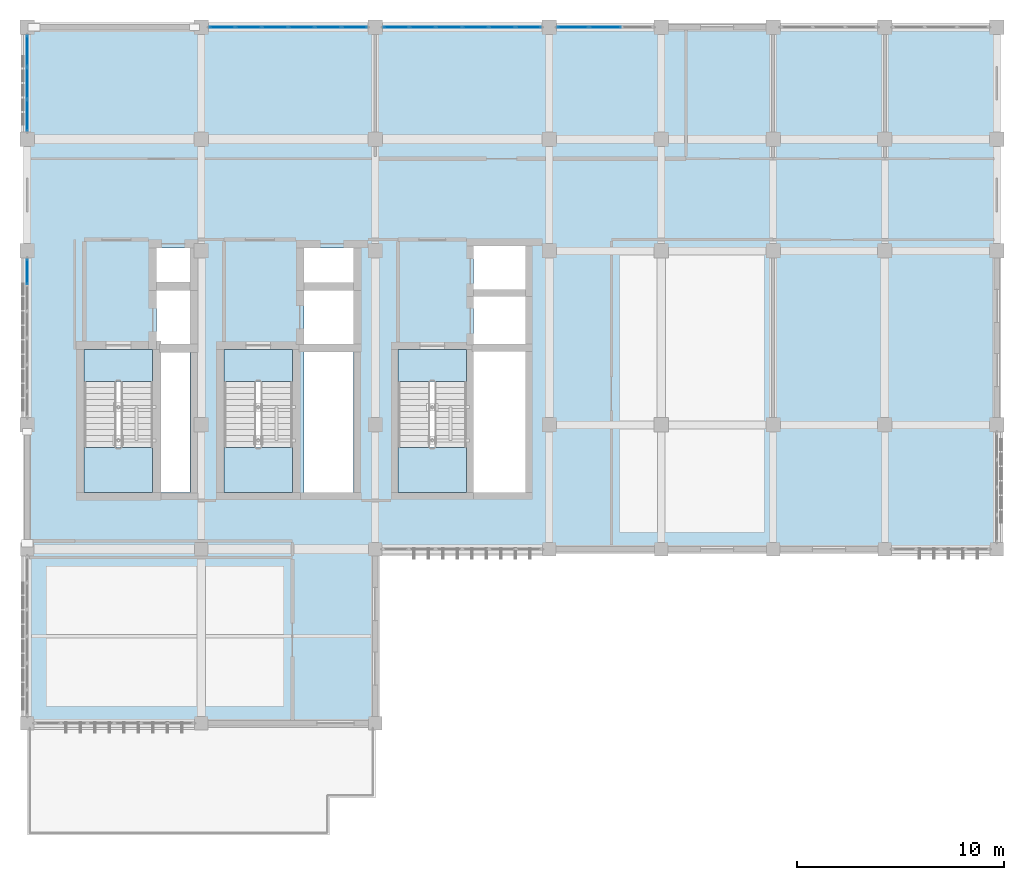
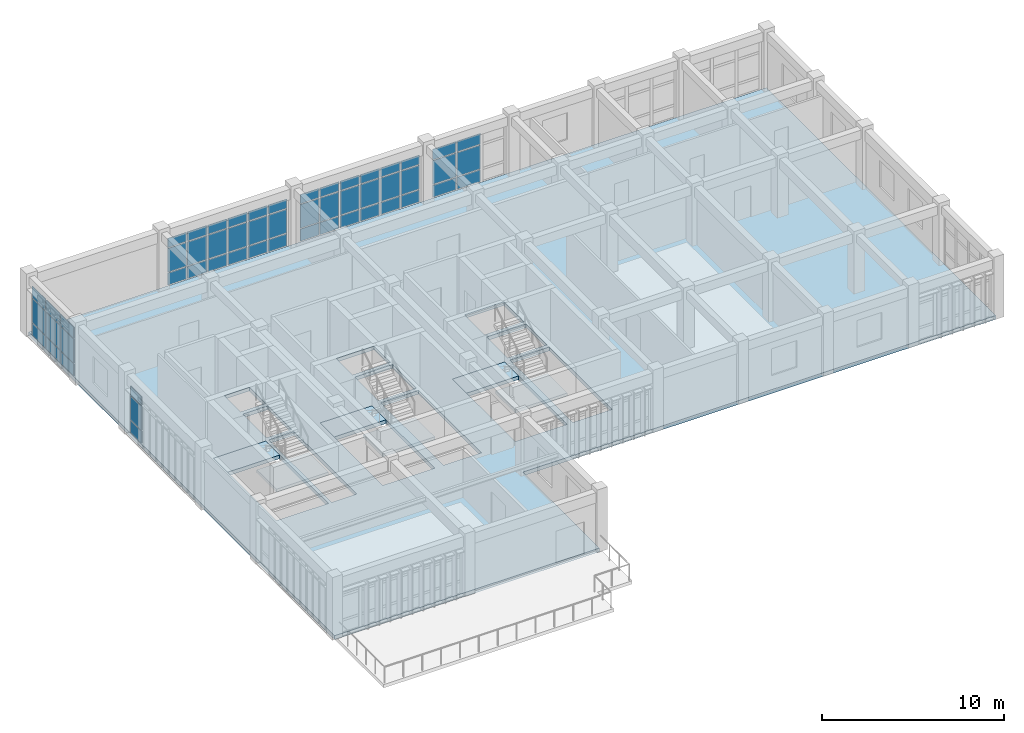
# One storey, part 17 of 23: 54 plates, 7 slabs, 8 elements without a shape of their own.
"""IFC4 building model written with IfcOpenShell, lengths in metres."""

from ifc_helpers import new_model, si_unit, direction, frame, origin, origin_2d, place, context, subcontext, project, spatial, polyline, rectangle, outline, extrude, material, layer, layer_set, type_object, element, aggregate, save


model = new_model("IFC4")

# Units and contexts
model_context = context("Model", 3, precision=1e-05, world=origin(), true_north=direction((0.0, 1.0)))
body_context = subcontext(model_context, "Body", "Model", "MODEL_VIEW")
ifc_project = project(units=[si_unit("LENGTHUNIT", "METRE"), si_unit("AREAUNIT", "SQUARE_METRE"), si_unit("VOLUMEUNIT", "CUBIC_METRE"), si_unit("PLANEANGLEUNIT", "RADIAN"), si_unit("MASSUNIT", "GRAM", prefix="KILO")], contexts=[model_context])

# Site, building, storey
site_placement = place(None, origin())
site = spatial("IfcSite", under=ifc_project, at=site_placement, CompositionType="ELEMENT")
building_placement = place(site_placement, origin())
building = spatial("IfcBuilding", under=site, at=building_placement, Name="Krzemoval Escarpment Law Courts", CompositionType="ELEMENT")
storey_placement = place(building_placement, frame((0.0, 0.0, 25.199951171875)))
storey = spatial("IfcBuildingStorey", under=building, at=storey_placement, Name="L05", CompositionType="ELEMENT", Elevation=25.199951171875)

# Curtain wall, plates
ifc_material_1 = material(Name="Aluminium 6063-T6", Category="aluminium")
ifc_layer_1 = layer(ifc_material_1, 0.219970703125)
ifc_layer_set_1 = layer_set([ifc_layer_1], Name="Aluminium 6063-T6")
curtain_wall_type = type_object("IfcCurtainWallType", Name="CW-CHMB-4200", PredefinedType="USERDEFINED", material=ifc_layer_set_1)
curtain_wall_1_placement = place(storey_placement, origin())
curtain_wall_1 = element("IfcCurtainWall", 1, at=curtain_wall_1_placement, inside=storey, type_object=curtain_wall_type, Name="Unitised Curtain Wall FCW-L05-135", ObjectType="UNITISED_CURTAIN_WALL", PredefinedType="USERDEFINED")
ifc_material_2 = material(Name="Triple Glazing IGU", Category="glass")
ifc_layer_2 = layer(ifc_material_2, 0.0419921875)
ifc_layer_set_2 = layer_set([ifc_layer_2], Name="Triple Glazing IGU")
plate_type = type_object("IfcPlateType", Name="CWP-GLZ-42", PredefinedType="CURTAIN_PANEL", material=ifc_layer_set_2)
plate_1_placement = place(storey_placement, frame((126.0, 106.9921875, 0.06494140625), z_axis=(0.0, 0.0, 1.0), x_axis=(0.0, 1.0, 0.0)))
plate_1 = element("IfcPlate", 2, at=plate_1_placement, type_object=plate_type, Name="FCW-L05-135 panel 6.1", PredefinedType="CURTAIN_PANEL", context=body_context, shape_type="SweptSolid", body=[
    extrude(rectangle(XDim=1.185791015625, YDim=0.0419921875, at=origin_2d()), origin(), (0.0, 0.0, 1.0), 0.802490234375),
])
plate_2_placement = place(storey_placement, frame((126.0, 106.9921875, 0.9326171875), z_axis=(0.0, 0.0, 1.0), x_axis=(0.0, 1.0, 0.0)))
plate_2 = element("IfcPlate", 3, at=plate_2_placement, type_object=plate_type, Name="FCW-L05-135 panel 6.2", PredefinedType="CURTAIN_PANEL", context=body_context, shape_type="SweptSolid", body=[
    extrude(rectangle(XDim=1.185791015625, YDim=0.0419921875, at=origin_2d()), origin(), (0.0, 0.0, 1.0), 1.5849609375),
])
plate_3_placement = place(storey_placement, frame((126.0, 106.9921875, 2.58251953125), z_axis=(0.0, 0.0, 1.0), x_axis=(0.0, 1.0, 0.0)))
plate_3 = element("IfcPlate", 4, at=plate_3_placement, type_object=plate_type, Name="FCW-L05-135 panel 6.3", PredefinedType="CURTAIN_PANEL", context=body_context, shape_type="SweptSolid", body=[
    extrude(rectangle(XDim=1.185791015625, YDim=0.0419921875, at=origin_2d()), origin(), (0.0, 0.0, 1.0), 0.6025390625),
])
aggregate(curtain_wall_1, [plate_1, plate_2, plate_3])

curtain_wall_2_placement = place(storey_placement, origin())
curtain_wall_2 = element("IfcCurtainWall", 5, at=curtain_wall_2_placement, inside=storey, type_object=curtain_wall_type, Name="Unitised Curtain Wall FCW-L05-136", ObjectType="UNITISED_CURTAIN_WALL", PredefinedType="USERDEFINED")
plate_4_placement = place(storey_placement, frame((126.0, 114.549560546875, 0.06494140625), z_axis=(0.0, 0.0, 1.0), x_axis=(0.0, 1.0, 0.0)))
plate_4 = element("IfcPlate", 6, at=plate_4_placement, type_object=plate_type, Name="FCW-L05-136 panel 1.1", PredefinedType="CURTAIN_PANEL", context=body_context, shape_type="SweptSolid", body=[
    extrude(rectangle(XDim=1.46923828125, YDim=0.0419921875, at=origin_2d()), origin(), (0.0, 0.0, 1.0), 0.802490234375),
])
plate_5_placement = place(storey_placement, frame((126.0, 114.549560546875, 0.9326171875), z_axis=(0.0, 0.0, 1.0), x_axis=(0.0, 1.0, 0.0)))
plate_5 = element("IfcPlate", 7, at=plate_5_placement, type_object=plate_type, Name="FCW-L05-136 panel 1.2", PredefinedType="CURTAIN_PANEL", context=body_context, shape_type="SweptSolid", body=[
    extrude(rectangle(XDim=1.46923828125, YDim=0.0419921875, at=origin_2d()), origin(), (0.0, 0.0, 1.0), 1.5849609375),
])
plate_6_placement = place(storey_placement, frame((126.0, 114.549560546875, 2.58251953125), z_axis=(0.0, 0.0, 1.0), x_axis=(0.0, 1.0, 0.0)))
plate_6 = element("IfcPlate", 8, at=plate_6_placement, type_object=plate_type, Name="FCW-L05-136 panel 1.3", PredefinedType="CURTAIN_PANEL", context=body_context, shape_type="SweptSolid", body=[
    extrude(rectangle(XDim=1.46923828125, YDim=0.0419921875, at=origin_2d()), origin(), (0.0, 0.0, 1.0), 0.75244140625),
])
plate_7_placement = place(storey_placement, frame((126.0, 116.10009765625, 0.06494140625), z_axis=(0.0, 0.0, 1.0), x_axis=(0.0, 1.0, 0.0)))
plate_7 = element("IfcPlate", 9, at=plate_7_placement, type_object=plate_type, Name="FCW-L05-136 panel 2.1", PredefinedType="CURTAIN_PANEL", context=body_context, shape_type="SweptSolid", body=[
    extrude(rectangle(XDim=1.501708984375, YDim=0.0419921875, at=origin_2d()), origin(), (0.0, 0.0, 1.0), 0.802490234375),
])
plate_8_placement = place(storey_placement, frame((126.0, 116.10009765625, 0.9326171875), z_axis=(0.0, 0.0, 1.0), x_axis=(0.0, 1.0, 0.0)))
plate_8 = element("IfcPlate", 10, at=plate_8_placement, type_object=plate_type, Name="FCW-L05-136 panel 2.2", PredefinedType="CURTAIN_PANEL", context=body_context, shape_type="SweptSolid", body=[
    extrude(rectangle(XDim=1.501708984375, YDim=0.0419921875, at=origin_2d()), origin(), (0.0, 0.0, 1.0), 1.5849609375),
])
plate_9_placement = place(storey_placement, frame((126.0, 116.10009765625, 2.58251953125), z_axis=(0.0, 0.0, 1.0), x_axis=(0.0, 1.0, 0.0)))
plate_9 = element("IfcPlate", 11, at=plate_9_placement, type_object=plate_type, Name="FCW-L05-136 panel 2.3", PredefinedType="CURTAIN_PANEL", context=body_context, shape_type="SweptSolid", body=[
    extrude(rectangle(XDim=1.501708984375, YDim=0.0419921875, at=origin_2d()), origin(), (0.0, 0.0, 1.0), 0.75244140625),
])
plate_10_placement = place(storey_placement, frame((126.0, 117.650390625, 0.06494140625), z_axis=(0.0, 0.0, 1.0), x_axis=(0.0, 1.0, 0.0)))
plate_10 = element("IfcPlate", 12, at=plate_10_placement, type_object=plate_type, Name="FCW-L05-136 panel 3.1", PredefinedType="CURTAIN_PANEL", context=body_context, shape_type="SweptSolid", body=[
    extrude(rectangle(XDim=1.46923828125, YDim=0.0419921875, at=origin_2d()), origin(), (0.0, 0.0, 1.0), 0.802490234375),
])
plate_11_placement = place(storey_placement, frame((126.0, 117.650390625, 0.9326171875), z_axis=(0.0, 0.0, 1.0), x_axis=(0.0, 1.0, 0.0)))
plate_11 = element("IfcPlate", 13, at=plate_11_placement, type_object=plate_type, Name="FCW-L05-136 panel 3.2", PredefinedType="CURTAIN_PANEL", context=body_context, shape_type="SweptSolid", body=[
    extrude(rectangle(XDim=1.46923828125, YDim=0.0419921875, at=origin_2d()), origin(), (0.0, 0.0, 1.0), 1.5849609375),
])
plate_12_placement = place(storey_placement, frame((126.0, 117.650390625, 2.58251953125), z_axis=(0.0, 0.0, 1.0), x_axis=(0.0, 1.0, 0.0)))
plate_12 = element("IfcPlate", 14, at=plate_12_placement, type_object=plate_type, Name="FCW-L05-136 panel 3.3", PredefinedType="CURTAIN_PANEL", context=body_context, shape_type="SweptSolid", body=[
    extrude(rectangle(XDim=1.46923828125, YDim=0.0419921875, at=origin_2d()), origin(), (0.0, 0.0, 1.0), 0.75244140625),
])
aggregate(curtain_wall_2, [plate_4, plate_5, plate_6, plate_7, plate_8, plate_9, plate_10, plate_11, plate_12])

curtain_wall_3_placement = place(storey_placement, origin())
curtain_wall_3 = element("IfcCurtainWall", 15, at=curtain_wall_3_placement, inside=storey, type_object=curtain_wall_type, Name="Unitised Curtain Wall FCW-L05-137", ObjectType="UNITISED_CURTAIN_WALL", PredefinedType="USERDEFINED")
plate_13_placement = place(storey_placement, frame((135.407958984375, 118.800048828125, 0.06494140625), z_axis=(0.0, 0.0, 1.0), x_axis=(1.0, 0.0, 0.0)))
plate_13 = element("IfcPlate", 16, at=plate_13_placement, type_object=plate_type, Name="FCW-L05-137 panel 1.1", PredefinedType="CURTAIN_PANEL", context=body_context, shape_type="SweptSolid", body=[
    extrude(rectangle(XDim=1.185791015625, YDim=0.0419921875, at=origin_2d()), origin(), (0.0, 0.0, 1.0), 0.802490234375),
])
plate_14_placement = place(storey_placement, frame((135.407958984375, 118.800048828125, 0.9326171875), z_axis=(0.0, 0.0, 1.0), x_axis=(1.0, 0.0, 0.0)))
plate_14 = element("IfcPlate", 17, at=plate_14_placement, type_object=plate_type, Name="FCW-L05-137 panel 1.2", PredefinedType="CURTAIN_PANEL", context=body_context, shape_type="SweptSolid", body=[
    extrude(rectangle(XDim=1.185791015625, YDim=0.0419921875, at=origin_2d()), origin(), (0.0, 0.0, 1.0), 1.5849609375),
])
plate_15_placement = place(storey_placement, frame((135.407958984375, 118.800048828125, 2.58251953125), z_axis=(0.0, 0.0, 1.0), x_axis=(1.0, 0.0, 0.0)))
plate_15 = element("IfcPlate", 18, at=plate_15_placement, type_object=plate_type, Name="FCW-L05-137 panel 1.3", PredefinedType="CURTAIN_PANEL", context=body_context, shape_type="SweptSolid", body=[
    extrude(rectangle(XDim=1.185791015625, YDim=0.0419921875, at=origin_2d()), origin(), (0.0, 0.0, 1.0), 0.6025390625),
])
plate_16_placement = place(storey_placement, frame((136.675048828125, 118.800048828125, 0.06494140625), z_axis=(0.0, 0.0, 1.0), x_axis=(1.0, 0.0, 0.0)))
plate_16 = element("IfcPlate", 19, at=plate_16_placement, type_object=plate_type, Name="FCW-L05-137 panel 2.1", PredefinedType="CURTAIN_PANEL", context=body_context, shape_type="SweptSolid", body=[
    extrude(rectangle(XDim=1.21826171875, YDim=0.0419921875, at=origin_2d()), origin(), (0.0, 0.0, 1.0), 0.802490234375),
])
plate_17_placement = place(storey_placement, frame((136.675048828125, 118.800048828125, 0.9326171875), z_axis=(0.0, 0.0, 1.0), x_axis=(1.0, 0.0, 0.0)))
plate_17 = element("IfcPlate", 20, at=plate_17_placement, type_object=plate_type, Name="FCW-L05-137 panel 2.2", PredefinedType="CURTAIN_PANEL", context=body_context, shape_type="SweptSolid", body=[
    extrude(rectangle(XDim=1.21826171875, YDim=0.0419921875, at=origin_2d()), origin(), (0.0, 0.0, 1.0), 1.5849609375),
])
plate_18_placement = place(storey_placement, frame((136.675048828125, 118.800048828125, 2.58251953125), z_axis=(0.0, 0.0, 1.0), x_axis=(1.0, 0.0, 0.0)))
plate_18 = element("IfcPlate", 21, at=plate_18_placement, type_object=plate_type, Name="FCW-L05-137 panel 2.3", PredefinedType="CURTAIN_PANEL", context=body_context, shape_type="SweptSolid", body=[
    extrude(rectangle(XDim=1.21826171875, YDim=0.0419921875, at=origin_2d()), origin(), (0.0, 0.0, 1.0), 0.6025390625),
])
plate_19_placement = place(storey_placement, frame((137.958251953125, 118.800048828125, 0.06494140625), z_axis=(0.0, 0.0, 1.0), x_axis=(1.0, 0.0, 0.0)))
plate_19 = element("IfcPlate", 22, at=plate_19_placement, type_object=plate_type, Name="FCW-L05-137 panel 3.1", PredefinedType="CURTAIN_PANEL", context=body_context, shape_type="SweptSolid", body=[
    extrude(rectangle(XDim=1.21826171875, YDim=0.0419921875, at=origin_2d()), origin(), (0.0, 0.0, 1.0), 0.802490234375),
])
plate_20_placement = place(storey_placement, frame((137.958251953125, 118.800048828125, 0.9326171875), z_axis=(0.0, 0.0, 1.0), x_axis=(1.0, 0.0, 0.0)))
plate_20 = element("IfcPlate", 23, at=plate_20_placement, type_object=plate_type, Name="FCW-L05-137 panel 3.2", PredefinedType="CURTAIN_PANEL", context=body_context, shape_type="SweptSolid", body=[
    extrude(rectangle(XDim=1.21826171875, YDim=0.0419921875, at=origin_2d()), origin(), (0.0, 0.0, 1.0), 1.5849609375),
])
plate_21_placement = place(storey_placement, frame((137.958251953125, 118.800048828125, 2.58251953125), z_axis=(0.0, 0.0, 1.0), x_axis=(1.0, 0.0, 0.0)))
plate_21 = element("IfcPlate", 24, at=plate_21_placement, type_object=plate_type, Name="FCW-L05-137 panel 3.3", PredefinedType="CURTAIN_PANEL", context=body_context, shape_type="SweptSolid", body=[
    extrude(rectangle(XDim=1.21826171875, YDim=0.0419921875, at=origin_2d()), origin(), (0.0, 0.0, 1.0), 0.6025390625),
])
plate_22_placement = place(storey_placement, frame((139.24169921875, 118.800048828125, 0.06494140625), z_axis=(0.0, 0.0, 1.0), x_axis=(1.0, 0.0, 0.0)))
plate_22 = element("IfcPlate", 25, at=plate_22_placement, type_object=plate_type, Name="FCW-L05-137 panel 4.1", PredefinedType="CURTAIN_PANEL", context=body_context, shape_type="SweptSolid", body=[
    extrude(rectangle(XDim=1.21826171875, YDim=0.0419921875, at=origin_2d()), origin(), (0.0, 0.0, 1.0), 0.802490234375),
])
plate_23_placement = place(storey_placement, frame((139.24169921875, 118.800048828125, 0.9326171875), z_axis=(0.0, 0.0, 1.0), x_axis=(1.0, 0.0, 0.0)))
plate_23 = element("IfcPlate", 26, at=plate_23_placement, type_object=plate_type, Name="FCW-L05-137 panel 4.2", PredefinedType="CURTAIN_PANEL", context=body_context, shape_type="SweptSolid", body=[
    extrude(rectangle(XDim=1.21826171875, YDim=0.0419921875, at=origin_2d()), origin(), (0.0, 0.0, 1.0), 1.5849609375),
])
plate_24_placement = place(storey_placement, frame((139.24169921875, 118.800048828125, 2.58251953125), z_axis=(0.0, 0.0, 1.0), x_axis=(1.0, 0.0, 0.0)))
plate_24 = element("IfcPlate", 27, at=plate_24_placement, type_object=plate_type, Name="FCW-L05-137 panel 4.3", PredefinedType="CURTAIN_PANEL", context=body_context, shape_type="SweptSolid", body=[
    extrude(rectangle(XDim=1.21826171875, YDim=0.0419921875, at=origin_2d()), origin(), (0.0, 0.0, 1.0), 0.6025390625),
])
plate_25_placement = place(storey_placement, frame((140.52490234375, 118.800048828125, 0.06494140625), z_axis=(0.0, 0.0, 1.0), x_axis=(1.0, 0.0, 0.0)))
plate_25 = element("IfcPlate", 28, at=plate_25_placement, type_object=plate_type, Name="FCW-L05-137 panel 5.1", PredefinedType="CURTAIN_PANEL", context=body_context, shape_type="SweptSolid", body=[
    extrude(rectangle(XDim=1.21826171875, YDim=0.0419921875, at=origin_2d()), origin(), (0.0, 0.0, 1.0), 0.802490234375),
])
plate_26_placement = place(storey_placement, frame((140.52490234375, 118.800048828125, 0.9326171875), z_axis=(0.0, 0.0, 1.0), x_axis=(1.0, 0.0, 0.0)))
plate_26 = element("IfcPlate", 29, at=plate_26_placement, type_object=plate_type, Name="FCW-L05-137 panel 5.2", PredefinedType="CURTAIN_PANEL", context=body_context, shape_type="SweptSolid", body=[
    extrude(rectangle(XDim=1.21826171875, YDim=0.0419921875, at=origin_2d()), origin(), (0.0, 0.0, 1.0), 1.5849609375),
])
plate_27_placement = place(storey_placement, frame((140.52490234375, 118.800048828125, 2.58251953125), z_axis=(0.0, 0.0, 1.0), x_axis=(1.0, 0.0, 0.0)))
plate_27 = element("IfcPlate", 30, at=plate_27_placement, type_object=plate_type, Name="FCW-L05-137 panel 5.3", PredefinedType="CURTAIN_PANEL", context=body_context, shape_type="SweptSolid", body=[
    extrude(rectangle(XDim=1.21826171875, YDim=0.0419921875, at=origin_2d()), origin(), (0.0, 0.0, 1.0), 0.6025390625),
])
plate_28_placement = place(storey_placement, frame((141.7919921875, 118.800048828125, 0.06494140625), z_axis=(0.0, 0.0, 1.0), x_axis=(1.0, 0.0, 0.0)))
plate_28 = element("IfcPlate", 31, at=plate_28_placement, type_object=plate_type, Name="FCW-L05-137 panel 6.1", PredefinedType="CURTAIN_PANEL", context=body_context, shape_type="SweptSolid", body=[
    extrude(rectangle(XDim=1.185791015625, YDim=0.0419921875, at=origin_2d()), origin(), (0.0, 0.0, 1.0), 0.802490234375),
])
plate_29_placement = place(storey_placement, frame((141.7919921875, 118.800048828125, 0.9326171875), z_axis=(0.0, 0.0, 1.0), x_axis=(1.0, 0.0, 0.0)))
plate_29 = element("IfcPlate", 32, at=plate_29_placement, type_object=plate_type, Name="FCW-L05-137 panel 6.2", PredefinedType="CURTAIN_PANEL", context=body_context, shape_type="SweptSolid", body=[
    extrude(rectangle(XDim=1.185791015625, YDim=0.0419921875, at=origin_2d()), origin(), (0.0, 0.0, 1.0), 1.5849609375),
])
plate_30_placement = place(storey_placement, frame((141.7919921875, 118.800048828125, 2.58251953125), z_axis=(0.0, 0.0, 1.0), x_axis=(1.0, 0.0, 0.0)))
plate_30 = element("IfcPlate", 33, at=plate_30_placement, type_object=plate_type, Name="FCW-L05-137 panel 6.3", PredefinedType="CURTAIN_PANEL", context=body_context, shape_type="SweptSolid", body=[
    extrude(rectangle(XDim=1.185791015625, YDim=0.0419921875, at=origin_2d()), origin(), (0.0, 0.0, 1.0), 0.6025390625),
])
aggregate(curtain_wall_3, [plate_13, plate_14, plate_15, plate_16, plate_17, plate_18, plate_19, plate_20, plate_21, plate_22, plate_23, plate_24, plate_25, plate_26, plate_27, plate_28, plate_29, plate_30])

curtain_wall_4_placement = place(storey_placement, origin())
curtain_wall_4 = element("IfcCurtainWall", 34, at=curtain_wall_4_placement, inside=storey, type_object=curtain_wall_type, Name="Unitised Curtain Wall FCW-L05-138", ObjectType="UNITISED_CURTAIN_WALL", PredefinedType="USERDEFINED")
plate_31_placement = place(storey_placement, frame((143.807861328125, 118.800048828125, 0.06494140625), z_axis=(0.0, 0.0, 1.0), x_axis=(1.0, 0.0, 0.0)))
plate_31 = element("IfcPlate", 35, at=plate_31_placement, type_object=plate_type, Name="FCW-L05-138 panel 1.1", PredefinedType="CURTAIN_PANEL", context=body_context, shape_type="SweptSolid", body=[
    extrude(rectangle(XDim=1.185791015625, YDim=0.0419921875, at=origin_2d()), origin(), (0.0, 0.0, 1.0), 0.802490234375),
])
plate_32_placement = place(storey_placement, frame((143.807861328125, 118.800048828125, 0.9326171875), z_axis=(0.0, 0.0, 1.0), x_axis=(1.0, 0.0, 0.0)))
plate_32 = element("IfcPlate", 36, at=plate_32_placement, type_object=plate_type, Name="FCW-L05-138 panel 1.2", PredefinedType="CURTAIN_PANEL", context=body_context, shape_type="SweptSolid", body=[
    extrude(rectangle(XDim=1.185791015625, YDim=0.0419921875, at=origin_2d()), origin(), (0.0, 0.0, 1.0), 1.5849609375),
])
plate_33_placement = place(storey_placement, frame((143.807861328125, 118.800048828125, 2.58251953125), z_axis=(0.0, 0.0, 1.0), x_axis=(1.0, 0.0, 0.0)))
plate_33 = element("IfcPlate", 37, at=plate_33_placement, type_object=plate_type, Name="FCW-L05-138 panel 1.3", PredefinedType="CURTAIN_PANEL", context=body_context, shape_type="SweptSolid", body=[
    extrude(rectangle(XDim=1.185791015625, YDim=0.0419921875, at=origin_2d()), origin(), (0.0, 0.0, 1.0), 0.6025390625),
])
plate_34_placement = place(storey_placement, frame((145.074951171875, 118.800048828125, 0.06494140625), z_axis=(0.0, 0.0, 1.0), x_axis=(1.0, 0.0, 0.0)))
plate_34 = element("IfcPlate", 38, at=plate_34_placement, type_object=plate_type, Name="FCW-L05-138 panel 2.1", PredefinedType="CURTAIN_PANEL", context=body_context, shape_type="SweptSolid", body=[
    extrude(rectangle(XDim=1.21826171875, YDim=0.0419921875, at=origin_2d()), origin(), (0.0, 0.0, 1.0), 0.802490234375),
])
plate_35_placement = place(storey_placement, frame((145.074951171875, 118.800048828125, 0.9326171875), z_axis=(0.0, 0.0, 1.0), x_axis=(1.0, 0.0, 0.0)))
plate_35 = element("IfcPlate", 39, at=plate_35_placement, type_object=plate_type, Name="FCW-L05-138 panel 2.2", PredefinedType="CURTAIN_PANEL", context=body_context, shape_type="SweptSolid", body=[
    extrude(rectangle(XDim=1.21826171875, YDim=0.0419921875, at=origin_2d()), origin(), (0.0, 0.0, 1.0), 1.5849609375),
])
plate_36_placement = place(storey_placement, frame((145.074951171875, 118.800048828125, 2.58251953125), z_axis=(0.0, 0.0, 1.0), x_axis=(1.0, 0.0, 0.0)))
plate_36 = element("IfcPlate", 40, at=plate_36_placement, type_object=plate_type, Name="FCW-L05-138 panel 2.3", PredefinedType="CURTAIN_PANEL", context=body_context, shape_type="SweptSolid", body=[
    extrude(rectangle(XDim=1.21826171875, YDim=0.0419921875, at=origin_2d()), origin(), (0.0, 0.0, 1.0), 0.6025390625),
])
plate_37_placement = place(storey_placement, frame((146.3583984375, 118.800048828125, 0.06494140625), z_axis=(0.0, 0.0, 1.0), x_axis=(1.0, 0.0, 0.0)))
plate_37 = element("IfcPlate", 41, at=plate_37_placement, type_object=plate_type, Name="FCW-L05-138 panel 3.1", PredefinedType="CURTAIN_PANEL", context=body_context, shape_type="SweptSolid", body=[
    extrude(rectangle(XDim=1.21826171875, YDim=0.0419921875, at=origin_2d()), origin(), (0.0, 0.0, 1.0), 0.802490234375),
])
plate_38_placement = place(storey_placement, frame((146.3583984375, 118.800048828125, 0.9326171875), z_axis=(0.0, 0.0, 1.0), x_axis=(1.0, 0.0, 0.0)))
plate_38 = element("IfcPlate", 42, at=plate_38_placement, type_object=plate_type, Name="FCW-L05-138 panel 3.2", PredefinedType="CURTAIN_PANEL", context=body_context, shape_type="SweptSolid", body=[
    extrude(rectangle(XDim=1.21826171875, YDim=0.0419921875, at=origin_2d()), origin(), (0.0, 0.0, 1.0), 1.5849609375),
])
plate_39_placement = place(storey_placement, frame((146.3583984375, 118.800048828125, 2.58251953125), z_axis=(0.0, 0.0, 1.0), x_axis=(1.0, 0.0, 0.0)))
plate_39 = element("IfcPlate", 43, at=plate_39_placement, type_object=plate_type, Name="FCW-L05-138 panel 3.3", PredefinedType="CURTAIN_PANEL", context=body_context, shape_type="SweptSolid", body=[
    extrude(rectangle(XDim=1.21826171875, YDim=0.0419921875, at=origin_2d()), origin(), (0.0, 0.0, 1.0), 0.6025390625),
])
plate_40_placement = place(storey_placement, frame((147.6416015625, 118.800048828125, 0.06494140625), z_axis=(0.0, 0.0, 1.0), x_axis=(1.0, 0.0, 0.0)))
plate_40 = element("IfcPlate", 44, at=plate_40_placement, type_object=plate_type, Name="FCW-L05-138 panel 4.1", PredefinedType="CURTAIN_PANEL", context=body_context, shape_type="SweptSolid", body=[
    extrude(rectangle(XDim=1.21826171875, YDim=0.0419921875, at=origin_2d()), origin(), (0.0, 0.0, 1.0), 0.802490234375),
])
plate_41_placement = place(storey_placement, frame((147.6416015625, 118.800048828125, 0.9326171875), z_axis=(0.0, 0.0, 1.0), x_axis=(1.0, 0.0, 0.0)))
plate_41 = element("IfcPlate", 45, at=plate_41_placement, type_object=plate_type, Name="FCW-L05-138 panel 4.2", PredefinedType="CURTAIN_PANEL", context=body_context, shape_type="SweptSolid", body=[
    extrude(rectangle(XDim=1.21826171875, YDim=0.0419921875, at=origin_2d()), origin(), (0.0, 0.0, 1.0), 1.5849609375),
])
plate_42_placement = place(storey_placement, frame((147.6416015625, 118.800048828125, 2.58251953125), z_axis=(0.0, 0.0, 1.0), x_axis=(1.0, 0.0, 0.0)))
plate_42 = element("IfcPlate", 46, at=plate_42_placement, type_object=plate_type, Name="FCW-L05-138 panel 4.3", PredefinedType="CURTAIN_PANEL", context=body_context, shape_type="SweptSolid", body=[
    extrude(rectangle(XDim=1.21826171875, YDim=0.0419921875, at=origin_2d()), origin(), (0.0, 0.0, 1.0), 0.6025390625),
])
plate_43_placement = place(storey_placement, frame((148.925048828125, 118.800048828125, 0.06494140625), z_axis=(0.0, 0.0, 1.0), x_axis=(1.0, 0.0, 0.0)))
plate_43 = element("IfcPlate", 47, at=plate_43_placement, type_object=plate_type, Name="FCW-L05-138 panel 5.1", PredefinedType="CURTAIN_PANEL", context=body_context, shape_type="SweptSolid", body=[
    extrude(rectangle(XDim=1.21826171875, YDim=0.0419921875, at=origin_2d()), origin(), (0.0, 0.0, 1.0), 0.802490234375),
])
plate_44_placement = place(storey_placement, frame((148.925048828125, 118.800048828125, 0.9326171875), z_axis=(0.0, 0.0, 1.0), x_axis=(1.0, 0.0, 0.0)))
plate_44 = element("IfcPlate", 48, at=plate_44_placement, type_object=plate_type, Name="FCW-L05-138 panel 5.2", PredefinedType="CURTAIN_PANEL", context=body_context, shape_type="SweptSolid", body=[
    extrude(rectangle(XDim=1.21826171875, YDim=0.0419921875, at=origin_2d()), origin(), (0.0, 0.0, 1.0), 1.5849609375),
])
plate_45_placement = place(storey_placement, frame((148.925048828125, 118.800048828125, 2.58251953125), z_axis=(0.0, 0.0, 1.0), x_axis=(1.0, 0.0, 0.0)))
plate_45 = element("IfcPlate", 49, at=plate_45_placement, type_object=plate_type, Name="FCW-L05-138 panel 5.3", PredefinedType="CURTAIN_PANEL", context=body_context, shape_type="SweptSolid", body=[
    extrude(rectangle(XDim=1.21826171875, YDim=0.0419921875, at=origin_2d()), origin(), (0.0, 0.0, 1.0), 0.6025390625),
])
plate_46_placement = place(storey_placement, frame((150.192138671875, 118.800048828125, 0.06494140625), z_axis=(0.0, 0.0, 1.0), x_axis=(1.0, 0.0, 0.0)))
plate_46 = element("IfcPlate", 50, at=plate_46_placement, type_object=plate_type, Name="FCW-L05-138 panel 6.1", PredefinedType="CURTAIN_PANEL", context=body_context, shape_type="SweptSolid", body=[
    extrude(rectangle(XDim=1.185791015625, YDim=0.0419921875, at=origin_2d()), origin(), (0.0, 0.0, 1.0), 0.802490234375),
])
plate_47_placement = place(storey_placement, frame((150.192138671875, 118.800048828125, 0.9326171875), z_axis=(0.0, 0.0, 1.0), x_axis=(1.0, 0.0, 0.0)))
plate_47 = element("IfcPlate", 51, at=plate_47_placement, type_object=plate_type, Name="FCW-L05-138 panel 6.2", PredefinedType="CURTAIN_PANEL", context=body_context, shape_type="SweptSolid", body=[
    extrude(rectangle(XDim=1.185791015625, YDim=0.0419921875, at=origin_2d()), origin(), (0.0, 0.0, 1.0), 1.5849609375),
])
plate_48_placement = place(storey_placement, frame((150.192138671875, 118.800048828125, 2.58251953125), z_axis=(0.0, 0.0, 1.0), x_axis=(1.0, 0.0, 0.0)))
plate_48 = element("IfcPlate", 52, at=plate_48_placement, type_object=plate_type, Name="FCW-L05-138 panel 6.3", PredefinedType="CURTAIN_PANEL", context=body_context, shape_type="SweptSolid", body=[
    extrude(rectangle(XDim=1.185791015625, YDim=0.0419921875, at=origin_2d()), origin(), (0.0, 0.0, 1.0), 0.6025390625),
])
aggregate(curtain_wall_4, [plate_31, plate_32, plate_33, plate_34, plate_35, plate_36, plate_37, plate_38, plate_39, plate_40, plate_41, plate_42, plate_43, plate_44, plate_45, plate_46, plate_47, plate_48])

curtain_wall_5_placement = place(storey_placement, origin())
curtain_wall_5 = element("IfcCurtainWall", 53, at=curtain_wall_5_placement, inside=storey, type_object=curtain_wall_type, Name="Unitised Curtain Wall FCW-L05-139", ObjectType="UNITISED_CURTAIN_WALL", PredefinedType="USERDEFINED")
plate_49_placement = place(storey_placement, frame((152.349609375, 118.800048828125, 0.06494140625), z_axis=(0.0, 0.0, 1.0), x_axis=(1.0, 0.0, 0.0)))
plate_49 = element("IfcPlate", 54, at=plate_49_placement, type_object=plate_type, Name="FCW-L05-139 panel 1.1", PredefinedType="CURTAIN_PANEL", context=body_context, shape_type="SweptSolid", body=[
    extrude(rectangle(XDim=1.46923828125, YDim=0.0419921875, at=origin_2d()), origin(), (0.0, 0.0, 1.0), 0.802490234375),
])
plate_50_placement = place(storey_placement, frame((152.349609375, 118.800048828125, 0.9326171875), z_axis=(0.0, 0.0, 1.0), x_axis=(1.0, 0.0, 0.0)))
plate_50 = element("IfcPlate", 55, at=plate_50_placement, type_object=plate_type, Name="FCW-L05-139 panel 1.2", PredefinedType="CURTAIN_PANEL", context=body_context, shape_type="SweptSolid", body=[
    extrude(rectangle(XDim=1.46923828125, YDim=0.0419921875, at=origin_2d()), origin(), (0.0, 0.0, 1.0), 1.5849609375),
])
plate_51_placement = place(storey_placement, frame((152.349609375, 118.800048828125, 2.58251953125), z_axis=(0.0, 0.0, 1.0), x_axis=(1.0, 0.0, 0.0)))
plate_51 = element("IfcPlate", 56, at=plate_51_placement, type_object=plate_type, Name="FCW-L05-139 panel 1.3", PredefinedType="CURTAIN_PANEL", context=body_context, shape_type="SweptSolid", body=[
    extrude(rectangle(XDim=1.46923828125, YDim=0.0419921875, at=origin_2d()), origin(), (0.0, 0.0, 1.0), 0.702392578125),
])
plate_52_placement = place(storey_placement, frame((153.89990234375, 118.800048828125, 0.06494140625), z_axis=(0.0, 0.0, 1.0), x_axis=(1.0, 0.0, 0.0)))
plate_52 = element("IfcPlate", 57, at=plate_52_placement, type_object=plate_type, Name="FCW-L05-139 panel 2.1", PredefinedType="CURTAIN_PANEL", context=body_context, shape_type="SweptSolid", body=[
    extrude(rectangle(XDim=1.501708984375, YDim=0.0419921875, at=origin_2d()), origin(), (0.0, 0.0, 1.0), 0.802490234375),
])
plate_53_placement = place(storey_placement, frame((153.89990234375, 118.800048828125, 0.9326171875), z_axis=(0.0, 0.0, 1.0), x_axis=(1.0, 0.0, 0.0)))
plate_53 = element("IfcPlate", 58, at=plate_53_placement, type_object=plate_type, Name="FCW-L05-139 panel 2.2", PredefinedType="CURTAIN_PANEL", context=body_context, shape_type="SweptSolid", body=[
    extrude(rectangle(XDim=1.501708984375, YDim=0.0419921875, at=origin_2d()), origin(), (0.0, 0.0, 1.0), 1.5849609375),
])
plate_54_placement = place(storey_placement, frame((153.89990234375, 118.800048828125, 2.58251953125), z_axis=(0.0, 0.0, 1.0), x_axis=(1.0, 0.0, 0.0)))
plate_54 = element("IfcPlate", 59, at=plate_54_placement, type_object=plate_type, Name="FCW-L05-139 panel 2.3", PredefinedType="CURTAIN_PANEL", context=body_context, shape_type="SweptSolid", body=[
    extrude(rectangle(XDim=1.501708984375, YDim=0.0419921875, at=origin_2d()), origin(), (0.0, 0.0, 1.0), 0.702392578125),
])
aggregate(curtain_wall_5, [plate_49, plate_50, plate_51, plate_52, plate_53, plate_54])

# Slabs
ifc_material_3 = material(Name="Concrete C40/50", Category="concrete")
ifc_layer_3 = layer(ifc_material_3, 0.25)
ifc_layer_set_3 = layer_set([ifc_layer_3], Name="Concrete C40/50")
slab_type_1 = type_object("IfcSlabType", Name="SL-FLR-250", PredefinedType="FLOOR", material=ifc_layer_set_3)
slab_1_placement = place(storey_placement, frame((0.0, 0.0, -0.25)))
element("IfcSlab", 60, at=slab_1_placement, inside=storey, type_object=slab_type_1, Name="Floor Slab SL-L05-V5-045", PredefinedType="FLOOR", context=body_context, shape_type="SweptSolid", body=[
    extrude(outline(polyline([(142.800048828125, 93.60009765625), (142.800048828125, 85.199951171875), (126.0, 85.199951171875), (126.0, 118.800048828125), (172.800048828125, 118.800048828125), (172.800048828125, 93.60009765625), (142.800048828125, 93.60009765625)]), holes=[polyline([(133.85009765625, 103.5), (133.85009765625, 106.10009765625), (132.25, 106.10009765625), (132.25, 103.5), (133.85009765625, 103.5)]), polyline([(132.25, 106.35009765625), (133.85009765625, 106.35009765625), (133.85009765625, 108.14990234375), (132.25, 108.14990234375), (132.25, 106.35009765625)]), polyline([(132.25, 103.25), (132.25, 96.35009765625), (133.85009765625, 96.35009765625), (133.85009765625, 103.25), (132.25, 103.25)]), polyline([(141.75, 106.10009765625), (139.35009765625, 106.10009765625), (139.35009765625, 103.5), (141.75, 103.5), (141.75, 106.10009765625)]), polyline([(141.75, 106.35009765625), (141.75, 108.14990234375), (139.35009765625, 108.14990234375), (139.35009765625, 106.35009765625), (141.75, 106.35009765625)]), polyline([(139.35009765625, 96.35009765625), (141.75, 96.35009765625), (141.75, 103.25), (139.35009765625, 103.25), (139.35009765625, 96.35009765625)]), polyline([(147.550048828125, 105.800048828125), (147.550048828125, 103.5), (150.050048828125, 103.5), (150.050048828125, 105.800048828125), (147.550048828125, 105.800048828125)]), polyline([(150.050048828125, 108.25), (147.550048828125, 108.25), (147.550048828125, 106.050048828125), (150.050048828125, 106.050048828125), (150.050048828125, 108.25)]), polyline([(150.050048828125, 96.35009765625), (150.050048828125, 103.25), (147.550048828125, 103.25), (147.550048828125, 96.35009765625), (150.050048828125, 96.35009765625)]), polyline([(128.75, 96.35009765625), (132.050048828125, 96.35009765625), (132.050048828125, 103.25), (128.75, 103.25), (128.75, 96.35009765625)]), polyline([(135.5, 103.25), (135.5, 96.35009765625), (138.800048828125, 96.35009765625), (138.800048828125, 103.25), (135.5, 103.25)]), polyline([(147.199951171875, 103.25), (143.89990234375, 103.25), (143.89990234375, 96.35009765625), (147.199951171875, 96.35009765625), (147.199951171875, 103.25)])]), origin(), (0.0, 0.0, 1.0), 0.25),
])
slab_2_placement = place(storey_placement, frame((0.0, 0.0, -0.25)))
element("IfcSlab", 61, at=slab_2_placement, inside=storey, type_object=slab_type_1, Name="Core Floor Landing Slab SL-ST1-L05-FL", PredefinedType="FLOOR", context=body_context, shape_type="SweptSolid", body=[
    extrude(outline(polyline([(128.75, 103.25), (128.75, 101.699951171875), (132.050048828125, 101.699951171875), (132.050048828125, 103.25), (128.75, 103.25)])), origin(), (0.0, 0.0, 1.0), 0.25),
])
slab_3_placement = place(storey_placement, frame((0.0, 0.0, -0.25)))
element("IfcSlab", 62, at=slab_3_placement, inside=storey, type_object=slab_type_1, Name="Core Floor Landing Slab SL-ST2-L05-FL", PredefinedType="FLOOR", context=body_context, shape_type="SweptSolid", body=[
    extrude(outline(polyline([(135.5, 103.25), (135.5, 101.699951171875), (138.800048828125, 101.699951171875), (138.800048828125, 103.25), (135.5, 103.25)])), origin(), (0.0, 0.0, 1.0), 0.25),
])
slab_4_placement = place(storey_placement, frame((0.0, 0.0, -0.25)))
element("IfcSlab", 63, at=slab_4_placement, inside=storey, type_object=slab_type_1, Name="Core Floor Landing Slab SL-ST3-L05-FL", PredefinedType="FLOOR", context=body_context, shape_type="SweptSolid", body=[
    extrude(outline(polyline([(143.89990234375, 103.25), (143.89990234375, 101.699951171875), (147.199951171875, 101.699951171875), (147.199951171875, 103.25), (143.89990234375, 103.25)])), origin(), (0.0, 0.0, 1.0), 0.25),
])

# Stair, slab
ifc_material_4 = material(Name="Concrete C40/50", Category="concrete")
stair_type = type_object("IfcStairType", Name="STR-CORE-1550", PredefinedType="HALF_TURN_STAIR", material=ifc_material_4)
stair_1_placement = place(storey_placement, origin())
stair_1 = element("IfcStair", 64, at=stair_1_placement, inside=storey, type_object=stair_type, Name="L05 ST1", PredefinedType="HALF_TURN_STAIR")
ifc_material_5 = material(Name="Concrete C40/50", Category="concrete")
ifc_layer_4 = layer(ifc_material_5, 0.199951171875)
ifc_layer_set_4 = layer_set([ifc_layer_4], Name="Concrete C40/50")
slab_type_2 = type_object("IfcSlabType", Name="SL-LND-200", PredefinedType="LANDING", material=ifc_layer_set_4)
slab_5_placement = place(storey_placement, frame((0.0, 0.0, 1.900146484375)))
slab_5 = element("IfcSlab", 65, at=slab_5_placement, type_object=slab_type_2, Name="ST1 landing 1", PredefinedType="LANDING", context=body_context, shape_type="SweptSolid", body=[
    extrude(outline(polyline([(128.75, 98.510009765625), (128.75, 96.35009765625), (132.050048828125, 96.35009765625), (132.050048828125, 98.510009765625), (128.75, 98.510009765625)])), origin(), (0.0, 0.0, 1.0), 0.199951171875),
])
aggregate(stair_1, [slab_5])

stair_2_placement = place(storey_placement, origin())
stair_2 = element("IfcStair", 66, at=stair_2_placement, inside=storey, type_object=stair_type, Name="L05 ST2", PredefinedType="HALF_TURN_STAIR")
slab_6_placement = place(storey_placement, frame((0.0, 0.0, 1.900146484375)))
slab_6 = element("IfcSlab", 67, at=slab_6_placement, type_object=slab_type_2, Name="ST2 landing 1", PredefinedType="LANDING", context=body_context, shape_type="SweptSolid", body=[
    extrude(outline(polyline([(135.5, 98.510009765625), (135.5, 96.35009765625), (138.800048828125, 96.35009765625), (138.800048828125, 98.510009765625), (135.5, 98.510009765625)])), origin(), (0.0, 0.0, 1.0), 0.199951171875),
])
aggregate(stair_2, [slab_6])

stair_3_placement = place(storey_placement, origin())
stair_3 = element("IfcStair", 68, at=stair_3_placement, inside=storey, type_object=stair_type, Name="L05 ST3", PredefinedType="HALF_TURN_STAIR")
slab_7_placement = place(storey_placement, frame((0.0, 0.0, 1.900146484375)))
slab_7 = element("IfcSlab", 69, at=slab_7_placement, type_object=slab_type_2, Name="ST3 landing 1", PredefinedType="LANDING", context=body_context, shape_type="SweptSolid", body=[
    extrude(outline(polyline([(143.89990234375, 98.510009765625), (143.89990234375, 96.35009765625), (147.199951171875, 96.35009765625), (147.199951171875, 98.510009765625), (143.89990234375, 98.510009765625)])), origin(), (0.0, 0.0, 1.0), 0.199951171875),
])
aggregate(stair_3, [slab_7])

save(model, "model.ifc")
